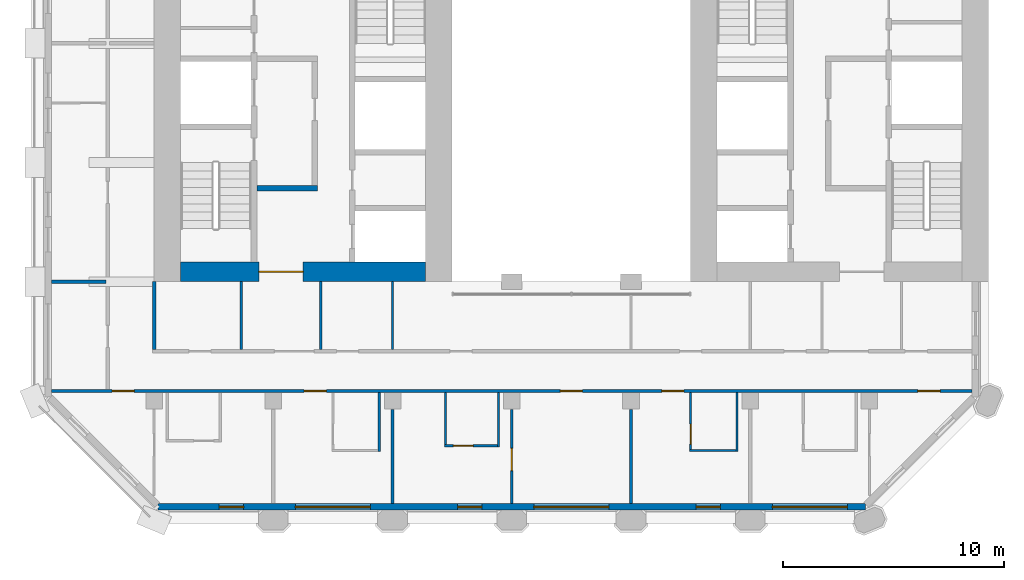
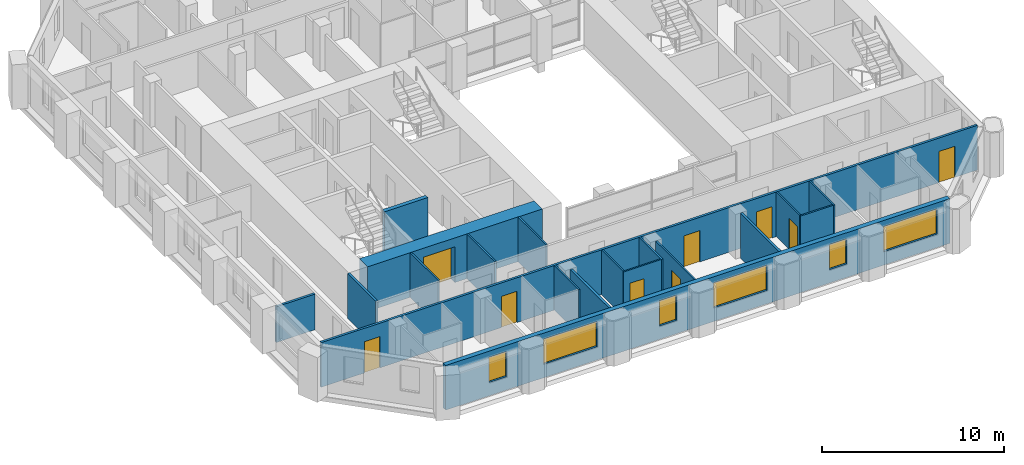
# One storey, part 6 of 14: 19 walls, 9 doors, 6 windows, 15 openings.
"""IFC4 building model written with IfcOpenShell, lengths in metres."""

from ifc_helpers import new_model, si_unit, direction, frame, frame_2d, origin, place, context, subcontext, project, spatial, rectangle, extrude, material, layer, layer_set, type_object, element, fill, save


model = new_model("IFC4")

# Units and contexts
model_context = context("Model", 3, precision=1e-05, world=origin(), true_north=direction((0.0, 1.0)))
body_context = subcontext(model_context, "Body", "Model", "MODEL_VIEW")
ifc_project = project(units=[si_unit("LENGTHUNIT", "METRE"), si_unit("AREAUNIT", "SQUARE_METRE"), si_unit("VOLUMEUNIT", "CUBIC_METRE"), si_unit("PLANEANGLEUNIT", "RADIAN"), si_unit("MASSUNIT", "GRAM", prefix="KILO")], contexts=[model_context])

# Site, building, storey
site_placement = place(None, origin())
site = spatial("IfcSite", under=ifc_project, at=site_placement, CompositionType="ELEMENT")
building_placement = place(site_placement, origin())
building = spatial("IfcBuilding", under=site, at=building_placement, Name="Tabaq Tower and Sports Hall", CompositionType="ELEMENT")
storey_placement = place(building_placement, frame((0.0, 0.0, 217.0)))
storey = spatial("IfcBuildingStorey", under=building, at=storey_placement, Name="L54", CompositionType="ELEMENT", Elevation=217.0)

# Wall, opening, door
ifc_material_1 = material(Name="Concrete C50/60", Category="concrete")
ifc_layer_1 = layer(ifc_material_1, 0.89990234375)
ifc_layer_set_1 = layer_set([ifc_layer_1], Name="Core wall 900 Concrete C50/60")
wall_type_1 = type_object("IfcWallType", Name="Core wall 900 Concrete C50/60", PredefinedType="SOLIDWALL", material=ifc_layer_set_1)
wall_1_placement = place(storey_placement, frame((17.699951171875, 16.64990234375, 0.0), z_axis=(0.0, 0.0, 1.0), x_axis=(-1.0, 0.0, 0.0)))
wall_1 = element("IfcWall", 1, at=wall_1_placement, inside=storey, type_object=wall_type_1, Name="Core wall W L54", PredefinedType="SOLIDWALL", context=body_context, shape_type="SweptSolid", body=[
    extrude(rectangle(XDim=11.099853515625, YDim=0.89990234375, at=frame_2d((5.5498046875, 0.0))), origin(), (0.0, 0.0, 1.0), 3.0),
])
opening_1_placement = place(wall_1_placement, frame((5.550048828125, 0.0, 0.0)))
opening_1 = element("IfcOpeningElement", 2, at=opening_1_placement, cuts=wall_1, Name="Opening PD-WL54-01", PredefinedType="OPENING", context=body_context, shape_type="SweptSolid", body=[
    extrude(rectangle(XDim=2.0, YDim=2.39990234375, at=frame_2d((1.0, 1.199951171875))), frame((0.0, 0.449951171875, 0.0), z_axis=(0.0, -1.0, 0.0), x_axis=(1.0, 0.0, 0.0)), (0.0, 0.0, 1.0), 0.89990234375),
])
ifc_material_2 = material(Name="Steel fire door", Category="steel")
door_type_1 = type_object("IfcDoorType", Name="Core entrance door 2000", OperationType="DOUBLE_DOOR_SINGLE_SWING", PredefinedType="DOOR", material=ifc_material_2)
door_1_placement = place(opening_1_placement, origin())
door_1 = element("IfcDoor", 3, at=door_1_placement, inside=storey, type_object=door_type_1, Name="Core entrance south W L54", OperationType="DOUBLE_DOOR_SINGLE_SWING", OverallHeight=2.39990234375, OverallWidth=2.0, PredefinedType="DOOR", context=body_context, shape_type="SweptSolid", body=[
    extrude(rectangle(XDim=2.0, YDim=2.39990234375, at=frame_2d((1.0, 1.199951171875))), frame((0.0, 0.02490234375, 0.0), z_axis=(0.0, -1.0, 0.0), x_axis=(1.0, 0.0, 0.0)), (0.0, 0.0, 1.0), 0.050048828125),
])
fill(opening_1, door_1)

# Walls
ifc_material_3 = material(Name="Gypsum board on steel studs", Category="steel")
ifc_layer_2 = layer(ifc_material_3, 0.10009765625)
ifc_layer_set_2 = layer_set([ifc_layer_2], Name="Partition 100 Gypsum board")
wall_type_2 = type_object("IfcWallType", Name="Partition 100 Gypsum board", PredefinedType="PARTITIONING", material=ifc_layer_set_2)
wall_2_placement = place(storey_placement, frame((31.800048828125, 11.175048828125, 0.0), z_axis=(0.0, 0.0, 1.0), x_axis=(0.0, -1.0, 0.0)))
element("IfcWall", 4, at=wall_2_placement, inside=storey, type_object=wall_type_2, Name="Partition wall L54", PredefinedType="PARTITIONING", context=body_context, shape_type="SweptSolid", body=[
    extrude(rectangle(XDim=2.675048828125, YDim=0.10009765625, at=frame_2d((1.33740234375, 0.0))), origin(), (0.0, 0.0, 1.0), 3.0),
])
wall_3_placement = place(storey_placement, frame((31.75, 8.550048828125, 0.0), z_axis=(0.0, 0.0, 1.0), x_axis=(-1.0, 0.0, 0.0)))
element("IfcWall", 5, at=wall_3_placement, inside=storey, type_object=wall_type_2, Name="Partition wall L54", PredefinedType="PARTITIONING", context=body_context, shape_type="SweptSolid", body=[
    extrude(rectangle(XDim=2.10009765625, YDim=0.10009765625, at=frame_2d((1.050048828125, 0.0))), origin(), (0.0, 0.0, 1.0), 3.0),
])

# Wall, opening, door
wall_4_placement = place(storey_placement, frame((29.699951171875, 8.60009765625, 0.0), z_axis=(0.0, 0.0, 1.0), x_axis=(0.0, 1.0, 0.0)))
wall_4 = element("IfcWall", 6, at=wall_4_placement, inside=storey, type_object=wall_type_2, Name="Partition wall L54", PredefinedType="PARTITIONING", context=body_context, shape_type="SweptSolid", body=[
    extrude(rectangle(XDim=2.574951171875, YDim=0.10009765625, at=frame_2d((1.28759765625, 0.0))), origin(), (0.0, 0.0, 1.0), 3.0),
])
opening_2_placement = place(wall_4_placement, frame((0.25, 0.0, 0.0)))
opening_2 = element("IfcOpeningElement", 7, at=opening_2_placement, cuts=wall_4, Name="Opening L54-017", PredefinedType="OPENING", context=body_context, shape_type="SweptSolid", body=[
    extrude(rectangle(XDim=0.89990234375, YDim=2.10009765625, at=frame_2d((0.449951171875, 1.050048828125))), frame((0.0, 0.050048828125, 0.0), z_axis=(0.0, -1.0, 0.0), x_axis=(1.0, 0.0, 0.0)), (0.0, 0.0, 1.0), 0.10009765625),
])
ifc_material_4 = material(Name="Timber leaf in steel frame", Category="steel")
door_type_2 = type_object("IfcDoorType", Name="Internal door 900 right hand", OperationType="SINGLE_SWING_RIGHT", PredefinedType="DOOR", material=ifc_material_4)
door_2_placement = place(opening_2_placement, origin())
door_2 = element("IfcDoor", 8, at=door_2_placement, inside=storey, type_object=door_type_2, Name="Internal door L54-017", OperationType="SINGLE_SWING_RIGHT", OverallHeight=2.10009765625, OverallWidth=0.89990234375, PredefinedType="DOOR", context=body_context, shape_type="SweptSolid", body=[
    extrude(rectangle(XDim=0.89990234375, YDim=2.10009765625, at=frame_2d((0.449951171875, 1.050048828125))), frame((0.0, 0.02490234375, 0.0), z_axis=(0.0, -1.0, 0.0), x_axis=(1.0, 0.0, 0.0)), (0.0, 0.0, 1.0), 0.050048828125),
])
fill(opening_2, door_2)

wall_5_placement = place(storey_placement, frame((21.60009765625, 6.15087890625, 0.0), z_axis=(0.0, 0.0, 1.0), x_axis=(0.0, 1.0, 0.0)))
wall_5 = element("IfcWall", 9, at=wall_5_placement, inside=storey, type_object=wall_type_2, Name="Partition wall L54", PredefinedType="PARTITIONING", context=body_context, shape_type="SweptSolid", body=[
    extrude(rectangle(XDim=4.254150390625, YDim=0.10009765625, at=frame_2d((2.126953125, 0.0))), origin(), (0.0, 0.0, 1.0), 3.0),
])
opening_3_placement = place(wall_5_placement, frame((1.4970703125, 0.0, 0.0)))
opening_3 = element("IfcOpeningElement", 10, at=opening_3_placement, cuts=wall_5, Name="Opening L54-044", PredefinedType="OPENING", context=body_context, shape_type="SweptSolid", body=[
    extrude(rectangle(XDim=1.0, YDim=2.10009765625, at=frame_2d((0.5, 1.050048828125))), frame((0.0, 0.050048828125, 0.0), z_axis=(0.0, -1.0, 0.0), x_axis=(1.0, 0.0, 0.0)), (0.0, 0.0, 1.0), 0.10009765625),
])
ifc_material_5 = material(Name="Timber leaf in steel frame", Category="steel")
door_type_3 = type_object("IfcDoorType", Name="Internal door 1000 left hand", OperationType="SINGLE_SWING_LEFT", PredefinedType="DOOR", material=ifc_material_5)
door_3_placement = place(opening_3_placement, origin())
door_3 = element("IfcDoor", 11, at=door_3_placement, inside=storey, type_object=door_type_3, Name="Internal door L54-044", OperationType="SINGLE_SWING_LEFT", OverallHeight=2.10009765625, OverallWidth=1.0, PredefinedType="DOOR", context=body_context, shape_type="SweptSolid", body=[
    extrude(rectangle(XDim=1.0, YDim=2.10009765625, at=frame_2d((0.5, 1.050048828125))), frame((0.0, 0.02490234375, 0.0), z_axis=(0.0, -1.0, 0.0), x_axis=(1.0, 0.0, 0.0)), (0.0, 0.0, 1.0), 0.050048828125),
])
fill(opening_3, door_3)

# Wall
wall_6_placement = place(storey_placement, frame((21.0, 11.175048828125, 0.0), z_axis=(0.0, 0.0, 1.0), x_axis=(0.0, -1.0, 0.0)))
element("IfcWall", 12, at=wall_6_placement, inside=storey, type_object=wall_type_2, Name="Partition wall L54", PredefinedType="PARTITIONING", context=body_context, shape_type="SweptSolid", body=[
    extrude(rectangle(XDim=2.449951171875, YDim=0.10009765625, at=frame_2d((1.22509765625, 0.0))), origin(), (0.0, 0.0, 1.0), 3.0),
])

# Wall, opening, door
wall_7_placement = place(storey_placement, frame((20.949951171875, 8.77490234375, 0.0), z_axis=(0.0, 0.0, 1.0), x_axis=(-1.0, 0.0, 0.0)))
wall_7 = element("IfcWall", 13, at=wall_7_placement, inside=storey, type_object=wall_type_2, Name="Partition wall L54", PredefinedType="PARTITIONING", context=body_context, shape_type="SweptSolid", body=[
    extrude(rectangle(XDim=2.39990234375, YDim=0.10009765625, at=frame_2d((1.199951171875, 0.0))), origin(), (0.0, 0.0, 1.0), 3.0),
])
opening_4_placement = place(wall_7_placement, frame((1.10009765625, 0.0, 0.0)))
opening_4 = element("IfcOpeningElement", 14, at=opening_4_placement, cuts=wall_7, Name="Opening L54-018", PredefinedType="OPENING", context=body_context, shape_type="SweptSolid", body=[
    extrude(rectangle(XDim=0.89990234375, YDim=2.10009765625, at=frame_2d((0.449951171875, 1.050048828125))), frame((0.0, 0.050048828125, 0.0), z_axis=(0.0, -1.0, 0.0), x_axis=(1.0, 0.0, 0.0)), (0.0, 0.0, 1.0), 0.10009765625),
])
ifc_material_6 = material(Name="Timber leaf in steel frame", Category="steel")
door_type_4 = type_object("IfcDoorType", Name="Internal door 900 left hand", OperationType="SINGLE_SWING_LEFT", PredefinedType="DOOR", material=ifc_material_6)
door_4_placement = place(opening_4_placement, origin())
door_4 = element("IfcDoor", 15, at=door_4_placement, inside=storey, type_object=door_type_4, Name="Internal door L54-018", OperationType="SINGLE_SWING_LEFT", OverallHeight=2.10009765625, OverallWidth=0.89990234375, PredefinedType="DOOR", context=body_context, shape_type="SweptSolid", body=[
    extrude(rectangle(XDim=0.89990234375, YDim=2.10009765625, at=frame_2d((0.449951171875, 1.050048828125))), frame((0.0, 0.02490234375, 0.0), z_axis=(0.0, -1.0, 0.0), x_axis=(1.0, 0.0, 0.0)), (0.0, 0.0, 1.0), 0.050048828125),
])
fill(opening_4, door_4)

# Walls
wall_8_placement = place(storey_placement, frame((18.60009765625, 8.824951171875, 0.0), z_axis=(0.0, 0.0, 1.0), x_axis=(0.0, 1.0, 0.0)))
element("IfcWall", 16, at=wall_8_placement, inside=storey, type_object=wall_type_2, Name="Partition wall L54", PredefinedType="PARTITIONING", context=body_context, shape_type="SweptSolid", body=[
    extrude(rectangle(XDim=2.35009765625, YDim=0.10009765625, at=frame_2d((1.175048828125, 0.0))), origin(), (0.0, 0.0, 1.0), 3.0),
])
wall_9_placement = place(storey_placement, frame((15.60009765625, 11.175048828125, 0.0), z_axis=(0.0, 0.0, 1.0), x_axis=(0.0, -1.0, 0.0)))
element("IfcWall", 17, at=wall_9_placement, inside=storey, type_object=wall_type_2, Name="Partition wall L54", PredefinedType="PARTITIONING", context=body_context, shape_type="SweptSolid", body=[
    extrude(rectangle(XDim=2.675048828125, YDim=0.10009765625, at=frame_2d((1.33740234375, 0.0))), origin(), (0.0, 0.0, 1.0), 3.0),
])
for number, where, z_axis, x_axis, name in (
    (18, (16.199951171875, 16.199951171875, 0.0), (0.0, 0.0, 1.0), (0.0, -1.0, 0.0), "Partition wall L54"),
    (19, (12.949951171875, 13.125, 0.0), (0.0, 0.0, 1.0), (0.0, 1.0, 0.0), "Partition wall L54"),
    (20, (9.35009765625, 16.199951171875, 0.0), (0.0, 0.0, 1.0), (0.0, -1.0, 0.0), "Partition wall L54"),
):
    element("IfcWall", number, at=place(storey_placement, frame(where, z_axis=z_axis, x_axis=x_axis)), inside=storey, type_object=wall_type_2, Name=name, PredefinedType="PARTITIONING", context=body_context, shape_type="SweptSolid", body=[
        extrude(rectangle(XDim=3.074951171875, YDim=0.10009765625, at=frame_2d((1.53759765625, 0.0))), origin(), (0.0, 0.0, 1.0), 3.0),
    ])
ifc_material_7 = material(Name="Blockwork", Category="masonry")
ifc_layer_3 = layer(ifc_material_7, 0.14990234375)
ifc_layer_set_3 = layer_set([ifc_layer_3], Name="Separating wall 150 Blockwork")
wall_type_3 = type_object("IfcWallType", Name="Separating wall 150 Blockwork", PredefinedType="PARTITIONING", material=ifc_layer_set_3)
wall_10_placement = place(storey_placement, frame((3.22509765625, 16.199951171875, 0.0), z_axis=(0.0, 0.0, 1.0), x_axis=(-1.0, 0.0, 0.0)))
element("IfcWall", 21, at=wall_10_placement, inside=storey, type_object=wall_type_3, Name="Separating wall L54", PredefinedType="PARTITIONING", context=body_context, shape_type="SweptSolid", body=[
    extrude(rectangle(XDim=2.47412109375, YDim=0.14990234375, at=frame_2d((1.237060546875, 0.0))), origin(), (0.0, 0.0, 1.0), 2.39990234375),
])
for number, where, z_axis, x_axis, name in (
    (22, (27.0, 10.405029296875, 0.0), (0.0, 0.0, 1.0), (0.0, -1.0, 0.0), "Separating wall L54"),
    (23, (16.199951171875, 10.405029296875, 0.0), (0.0, 0.0, 1.0), (0.0, -1.0, 0.0), "Separating wall L54"),
):
    element("IfcWall", number, at=place(storey_placement, frame(where, z_axis=z_axis, x_axis=x_axis)), inside=storey, type_object=wall_type_3, Name=name, PredefinedType="PARTITIONING", context=body_context, shape_type="SweptSolid", body=[
        extrude(rectangle(XDim=4.254150390625, YDim=0.14990234375, at=frame_2d((2.126953125, 0.0))), origin(), (0.0, 0.0, 1.0), 3.0),
    ])

# Wall, openings, doors
wall_11_placement = place(storey_placement, frame((0.7509765625, 11.25, 0.0), z_axis=(0.0, 0.0, 1.0), x_axis=(1.0, 0.0, 0.0)))
wall_11 = element("IfcWall", 24, at=wall_11_placement, inside=storey, type_object=wall_type_3, Name="Separating wall L54", PredefinedType="PARTITIONING", context=body_context, shape_type="SweptSolid", body=[
    extrude(rectangle(XDim=41.697998046875, YDim=0.14990234375, at=frame_2d((20.84912109375, 0.0))), origin(), (0.0, 0.0, 1.0), 3.0),
])
opening_5_placement = place(wall_11_placement, frame((39.2490234375, 0.0, 0.0)))
opening_5 = element("IfcOpeningElement", 25, at=opening_5_placement, cuts=wall_11, Name="Opening L54-042", PredefinedType="OPENING", context=body_context, shape_type="SweptSolid", body=[
    extrude(rectangle(XDim=1.0, YDim=2.10009765625, at=frame_2d((0.5, 1.050048828125))), frame((0.0, 0.074951171875, 0.0), z_axis=(0.0, -1.0, 0.0), x_axis=(1.0, 0.0, 0.0)), (0.0, 0.0, 1.0), 0.14990234375),
])
opening_6_placement = place(wall_11_placement, frame((27.64892578125, 0.0, 0.0)))
opening_6 = element("IfcOpeningElement", 26, at=opening_6_placement, cuts=wall_11, Name="Opening L54-043", PredefinedType="OPENING", context=body_context, shape_type="SweptSolid", body=[
    extrude(rectangle(XDim=1.0, YDim=2.10009765625, at=frame_2d((0.5, 1.050048828125))), frame((0.0, 0.074951171875, 0.0), z_axis=(0.0, -1.0, 0.0), x_axis=(1.0, 0.0, 0.0)), (0.0, 0.0, 1.0), 0.14990234375),
])
opening_7_placement = place(wall_11_placement, frame((23.049072265625, 0.0, 0.0)))
opening_7 = element("IfcOpeningElement", 27, at=opening_7_placement, cuts=wall_11, Name="Opening L54-045", PredefinedType="OPENING", context=body_context, shape_type="SweptSolid", body=[
    extrude(rectangle(XDim=1.0, YDim=2.10009765625, at=frame_2d((0.5, 1.050048828125))), frame((0.0, 0.074951171875, 0.0), z_axis=(0.0, -1.0, 0.0), x_axis=(1.0, 0.0, 0.0)), (0.0, 0.0, 1.0), 0.14990234375),
])
opening_8_placement = place(wall_11_placement, frame((11.448974609375, 0.0, 0.0)))
opening_8 = element("IfcOpeningElement", 28, at=opening_8_placement, cuts=wall_11, Name="Opening L54-046", PredefinedType="OPENING", context=body_context, shape_type="SweptSolid", body=[
    extrude(rectangle(XDim=1.0, YDim=2.10009765625, at=frame_2d((0.5, 1.050048828125))), frame((0.0, 0.074951171875, 0.0), z_axis=(0.0, -1.0, 0.0), x_axis=(1.0, 0.0, 0.0)), (0.0, 0.0, 1.0), 0.14990234375),
])
opening_9_placement = place(wall_11_placement, frame((2.743896484375, 0.0, 0.0)))
opening_9 = element("IfcOpeningElement", 29, at=opening_9_placement, cuts=wall_11, Name="Opening L54-048", PredefinedType="OPENING", context=body_context, shape_type="SweptSolid", body=[
    extrude(rectangle(XDim=1.0, YDim=2.10009765625, at=frame_2d((0.5, 1.050048828125))), frame((0.0, 0.074951171875, 0.0), z_axis=(0.0, -1.0, 0.0), x_axis=(1.0, 0.0, 0.0)), (0.0, 0.0, 1.0), 0.14990234375),
])
ifc_material_8 = material(Name="Steel fire door", Category="steel")
door_type_5 = type_object("IfcDoorType", Name="Entrance door 1000 left hand", OperationType="SINGLE_SWING_LEFT", PredefinedType="DOOR", material=ifc_material_8)
door_5_placement = place(opening_5_placement, origin())
door_5 = element("IfcDoor", 30, at=door_5_placement, inside=storey, type_object=door_type_5, Name="Entrance door L54-042", OperationType="SINGLE_SWING_LEFT", OverallHeight=2.10009765625, OverallWidth=1.0, PredefinedType="DOOR", context=body_context, shape_type="SweptSolid", body=[
    extrude(rectangle(XDim=1.0, YDim=2.10009765625, at=frame_2d((0.5, 1.050048828125))), frame((0.0, 0.02490234375, 0.0), z_axis=(0.0, -1.0, 0.0), x_axis=(1.0, 0.0, 0.0)), (0.0, 0.0, 1.0), 0.050048828125),
])
fill(opening_5, door_5)
door_6_placement = place(opening_6_placement, origin())
door_6 = element("IfcDoor", 31, at=door_6_placement, inside=storey, type_object=door_type_5, Name="Entrance door L54-043", OperationType="SINGLE_SWING_LEFT", OverallHeight=2.10009765625, OverallWidth=1.0, PredefinedType="DOOR", context=body_context, shape_type="SweptSolid", body=[
    extrude(rectangle(XDim=1.0, YDim=2.10009765625, at=frame_2d((0.5, 1.050048828125))), frame((0.0, 0.02490234375, 0.0), z_axis=(0.0, -1.0, 0.0), x_axis=(1.0, 0.0, 0.0)), (0.0, 0.0, 1.0), 0.050048828125),
])
fill(opening_6, door_6)
door_7_placement = place(opening_9_placement, origin())
door_7 = element("IfcDoor", 32, at=door_7_placement, inside=storey, type_object=door_type_5, Name="Entrance door L54-048", OperationType="SINGLE_SWING_LEFT", OverallHeight=2.10009765625, OverallWidth=1.0, PredefinedType="DOOR", context=body_context, shape_type="SweptSolid", body=[
    extrude(rectangle(XDim=1.0, YDim=2.10009765625, at=frame_2d((0.5, 1.050048828125))), frame((0.0, 0.02490234375, 0.0), z_axis=(0.0, -1.0, 0.0), x_axis=(1.0, 0.0, 0.0)), (0.0, 0.0, 1.0), 0.050048828125),
])
fill(opening_9, door_7)
ifc_material_9 = material(Name="Steel fire door", Category="steel")
door_type_6 = type_object("IfcDoorType", Name="Entrance door 1000 right hand", OperationType="SINGLE_SWING_RIGHT", PredefinedType="DOOR", material=ifc_material_9)
door_8_placement = place(opening_7_placement, origin())
door_8 = element("IfcDoor", 33, at=door_8_placement, inside=storey, type_object=door_type_6, Name="Entrance door L54-045", OperationType="SINGLE_SWING_RIGHT", OverallHeight=2.10009765625, OverallWidth=1.0, PredefinedType="DOOR", context=body_context, shape_type="SweptSolid", body=[
    extrude(rectangle(XDim=1.0, YDim=2.10009765625, at=frame_2d((0.5, 1.050048828125))), frame((0.0, 0.02490234375, 0.0), z_axis=(0.0, -1.0, 0.0), x_axis=(1.0, 0.0, 0.0)), (0.0, 0.0, 1.0), 0.050048828125),
])
fill(opening_7, door_8)
door_9_placement = place(opening_8_placement, origin())
door_9 = element("IfcDoor", 34, at=door_9_placement, inside=storey, type_object=door_type_6, Name="Entrance door L54-046", OperationType="SINGLE_SWING_RIGHT", OverallHeight=2.10009765625, OverallWidth=1.0, PredefinedType="DOOR", context=body_context, shape_type="SweptSolid", body=[
    extrude(rectangle(XDim=1.0, YDim=2.10009765625, at=frame_2d((0.5, 1.050048828125))), frame((0.0, 0.02490234375, 0.0), z_axis=(0.0, -1.0, 0.0), x_axis=(1.0, 0.0, 0.0)), (0.0, 0.0, 1.0), 0.050048828125),
])
fill(opening_8, door_9)

# Walls
wall_12_placement = place(storey_placement, frame((5.39990234375, 13.125, 0.0), z_axis=(0.0, 0.0, 1.0), x_axis=(0.0, 1.0, 0.0)))
element("IfcWall", 35, at=wall_12_placement, inside=storey, type_object=wall_type_3, Name="Separating wall L54", PredefinedType="PARTITIONING", context=body_context, shape_type="SweptSolid", body=[
    extrude(rectangle(XDim=3.074951171875, YDim=0.14990234375, at=frame_2d((1.53759765625, 0.0))), origin(), (0.0, 0.0, 1.0), 3.0),
])
ifc_material_10 = material(Name="Concrete C40/50", Category="concrete")
ifc_layer_4 = layer(ifc_material_10, 0.25)
ifc_layer_set_4 = layer_set([ifc_layer_4], Name="Shaft and stair wall 250 Concrete C40/50")
wall_type_4 = type_object("IfcWallType", Name="Shaft and stair wall 250 Concrete C40/50", PredefinedType="SOLIDWALL", material=ifc_layer_set_4)
wall_13_placement = place(storey_placement, frame((10.050048828125, 20.425048828125, 0.0), z_axis=(0.0, 0.0, 1.0), x_axis=(1.0, 0.0, 0.0)))
element("IfcWall", 36, at=wall_13_placement, inside=storey, type_object=wall_type_4, Name="Fire-fighting lobby wall W L54", PredefinedType="SOLIDWALL", context=body_context, shape_type="SweptSolid", body=[
    extrude(rectangle(XDim=2.75, YDim=0.25, at=frame_2d((1.375, 0.0))), origin(), (0.0, 0.0, 1.0), 3.0),
])

# Wall, openings, windows
ifc_material_11 = material(Name="White precast concrete C60/75", Category="concrete")
ifc_layer_5 = layer(ifc_material_11, 0.300048828125)
ifc_layer_set_5 = layer_set([ifc_layer_5], Name="White precast concrete C60/75 external wall 300")
wall_type_5 = type_object("IfcWallType", Name="White precast concrete C60/75 external wall 300", PredefinedType="SOLIDWALL", material=ifc_layer_set_5)
wall_14_placement = place(storey_placement, frame((5.58642578125, 6.0, 0.0), z_axis=(0.0, 0.0, 1.0), x_axis=(1.0, 0.0, 0.0)))
wall_14 = element("IfcWall", 37, at=wall_14_placement, inside=storey, type_object=wall_type_5, Name="External Wall L54 S", PredefinedType="SOLIDWALL", context=body_context, shape_type="SweptSolid", body=[
    extrude(rectangle(XDim=32.027099609375, YDim=0.300048828125, at=frame_2d((16.013671875, 0.0))), origin(), (0.0, 0.0, 1.0), 3.0),
])
opening_10_placement = place(wall_14_placement, frame((2.763671875, 0.0, 0.89990234375)))
opening_10 = element("IfcOpeningElement", 38, at=opening_10_placement, cuts=wall_14, Name="Opening W1B", PredefinedType="OPENING", context=body_context, shape_type="SweptSolid", body=[
    extrude(rectangle(XDim=1.10009765625, YDim=1.699951171875, at=frame_2d((0.550048828125, 0.85009765625))), frame((0.0, 0.16015625, 0.0), z_axis=(0.0, -1.0, 0.0), x_axis=(1.0, 0.0, 0.0)), (0.0, 0.0, 1.0), 0.320068359375),
])
opening_11_placement = place(wall_14_placement, frame((6.213623046875, 0.0, 0.89990234375)))
opening_11 = element("IfcOpeningElement", 39, at=opening_11_placement, cuts=wall_14, Name="Opening W1A", PredefinedType="OPENING", context=body_context, shape_type="SweptSolid", body=[
    extrude(rectangle(XDim=3.39990234375, YDim=1.699951171875, at=frame_2d((1.699951171875, 0.85009765625))), frame((0.0, 0.16015625, 0.0), z_axis=(0.0, -1.0, 0.0), x_axis=(1.0, 0.0, 0.0)), (0.0, 0.0, 1.0), 0.320068359375),
])
opening_12_placement = place(wall_14_placement, frame((13.563720703125, 0.0, 0.89990234375)))
opening_12 = element("IfcOpeningElement", 40, at=opening_12_placement, cuts=wall_14, Name="Opening W1B", PredefinedType="OPENING", context=body_context, shape_type="SweptSolid", body=[
    extrude(rectangle(XDim=1.10009765625, YDim=1.699951171875, at=frame_2d((0.550048828125, 0.85009765625))), frame((0.0, 0.16015625, 0.0), z_axis=(0.0, -1.0, 0.0), x_axis=(1.0, 0.0, 0.0)), (0.0, 0.0, 1.0), 0.320068359375),
])
opening_13_placement = place(wall_14_placement, frame((17.013671875, 0.0, 0.89990234375)))
opening_13 = element("IfcOpeningElement", 41, at=opening_13_placement, cuts=wall_14, Name="Opening W1A", PredefinedType="OPENING", context=body_context, shape_type="SweptSolid", body=[
    extrude(rectangle(XDim=3.39990234375, YDim=1.699951171875, at=frame_2d((1.699951171875, 0.85009765625))), frame((0.0, 0.16015625, 0.0), z_axis=(0.0, -1.0, 0.0), x_axis=(1.0, 0.0, 0.0)), (0.0, 0.0, 1.0), 0.320068359375),
])
opening_14_placement = place(wall_14_placement, frame((24.363525390625, 0.0, 0.89990234375)))
opening_14 = element("IfcOpeningElement", 42, at=opening_14_placement, cuts=wall_14, Name="Opening W1B", PredefinedType="OPENING", context=body_context, shape_type="SweptSolid", body=[
    extrude(rectangle(XDim=1.10009765625, YDim=1.699951171875, at=frame_2d((0.550048828125, 0.85009765625))), frame((0.0, 0.16015625, 0.0), z_axis=(0.0, -1.0, 0.0), x_axis=(1.0, 0.0, 0.0)), (0.0, 0.0, 1.0), 0.320068359375),
])
opening_15_placement = place(wall_14_placement, frame((27.813720703125, 0.0, 0.89990234375)))
opening_15 = element("IfcOpeningElement", 43, at=opening_15_placement, cuts=wall_14, Name="Opening W1A", PredefinedType="OPENING", context=body_context, shape_type="SweptSolid", body=[
    extrude(rectangle(XDim=3.39990234375, YDim=1.699951171875, at=frame_2d((1.699951171875, 0.85009765625))), frame((0.0, 0.16015625, 0.0), z_axis=(0.0, -1.0, 0.0), x_axis=(1.0, 0.0, 0.0)), (0.0, 0.0, 1.0), 0.320068359375),
])
ifc_material_12 = material(Name="Aluminium framed clear glazing", Category="aluminium")
window_type_1 = type_object("IfcWindowType", Name="Window W1A", PartitioningType="SINGLE_PANEL", PredefinedType="WINDOW", material=ifc_material_12)
window_1_placement = place(opening_11_placement, origin())
window_1 = element("IfcWindow", 44, at=window_1_placement, inside=storey, type_object=window_type_1, Name="Window W1A L54", OverallHeight=1.699951171875, OverallWidth=3.39990234375, PartitioningType="SINGLE_PANEL", PredefinedType="WINDOW", context=body_context, shape_type="SweptSolid", body=[
    extrude(rectangle(XDim=3.39990234375, YDim=1.699951171875, at=frame_2d((1.699951171875, 0.85009765625))), frame((0.0, 0.030029296875, 0.0), z_axis=(0.0, -1.0, 0.0), x_axis=(1.0, 0.0, 0.0)), (0.0, 0.0, 1.0), 0.06005859375),
])
fill(opening_11, window_1)
window_2_placement = place(opening_13_placement, origin())
window_2 = element("IfcWindow", 45, at=window_2_placement, inside=storey, type_object=window_type_1, Name="Window W1A L54", OverallHeight=1.699951171875, OverallWidth=3.39990234375, PartitioningType="SINGLE_PANEL", PredefinedType="WINDOW", context=body_context, shape_type="SweptSolid", body=[
    extrude(rectangle(XDim=3.39990234375, YDim=1.699951171875, at=frame_2d((1.699951171875, 0.85009765625))), frame((0.0, 0.030029296875, 0.0), z_axis=(0.0, -1.0, 0.0), x_axis=(1.0, 0.0, 0.0)), (0.0, 0.0, 1.0), 0.06005859375),
])
fill(opening_13, window_2)
window_3_placement = place(opening_15_placement, origin())
window_3 = element("IfcWindow", 46, at=window_3_placement, inside=storey, type_object=window_type_1, Name="Window W1A L54", OverallHeight=1.699951171875, OverallWidth=3.39990234375, PartitioningType="SINGLE_PANEL", PredefinedType="WINDOW", context=body_context, shape_type="SweptSolid", body=[
    extrude(rectangle(XDim=3.39990234375, YDim=1.699951171875, at=frame_2d((1.699951171875, 0.85009765625))), frame((0.0, 0.030029296875, 0.0), z_axis=(0.0, -1.0, 0.0), x_axis=(1.0, 0.0, 0.0)), (0.0, 0.0, 1.0), 0.06005859375),
])
fill(opening_15, window_3)
ifc_material_13 = material(Name="Aluminium framed clear glazing", Category="aluminium")
window_type_2 = type_object("IfcWindowType", Name="Window W1B", PartitioningType="SINGLE_PANEL", PredefinedType="WINDOW", material=ifc_material_13)
window_4_placement = place(opening_10_placement, origin())
window_4 = element("IfcWindow", 47, at=window_4_placement, inside=storey, type_object=window_type_2, Name="Window W1B L54", OverallHeight=1.699951171875, OverallWidth=1.10009765625, PartitioningType="SINGLE_PANEL", PredefinedType="WINDOW", context=body_context, shape_type="SweptSolid", body=[
    extrude(rectangle(XDim=1.10009765625, YDim=1.699951171875, at=frame_2d((0.550048828125, 0.85009765625))), frame((0.0, 0.030029296875, 0.0), z_axis=(0.0, -1.0, 0.0), x_axis=(1.0, 0.0, 0.0)), (0.0, 0.0, 1.0), 0.06005859375),
])
fill(opening_10, window_4)
window_5_placement = place(opening_12_placement, origin())
window_5 = element("IfcWindow", 48, at=window_5_placement, inside=storey, type_object=window_type_2, Name="Window W1B L54", OverallHeight=1.699951171875, OverallWidth=1.10009765625, PartitioningType="SINGLE_PANEL", PredefinedType="WINDOW", context=body_context, shape_type="SweptSolid", body=[
    extrude(rectangle(XDim=1.10009765625, YDim=1.699951171875, at=frame_2d((0.550048828125, 0.85009765625))), frame((0.0, 0.030029296875, 0.0), z_axis=(0.0, -1.0, 0.0), x_axis=(1.0, 0.0, 0.0)), (0.0, 0.0, 1.0), 0.06005859375),
])
fill(opening_12, window_5)
window_6_placement = place(opening_14_placement, origin())
window_6 = element("IfcWindow", 49, at=window_6_placement, inside=storey, type_object=window_type_2, Name="Window W1B L54", OverallHeight=1.699951171875, OverallWidth=1.10009765625, PartitioningType="SINGLE_PANEL", PredefinedType="WINDOW", context=body_context, shape_type="SweptSolid", body=[
    extrude(rectangle(XDim=1.10009765625, YDim=1.699951171875, at=frame_2d((0.550048828125, 0.85009765625))), frame((0.0, 0.030029296875, 0.0), z_axis=(0.0, -1.0, 0.0), x_axis=(1.0, 0.0, 0.0)), (0.0, 0.0, 1.0), 0.06005859375),
])
fill(opening_14, window_6)

save(model, "model.ifc")
